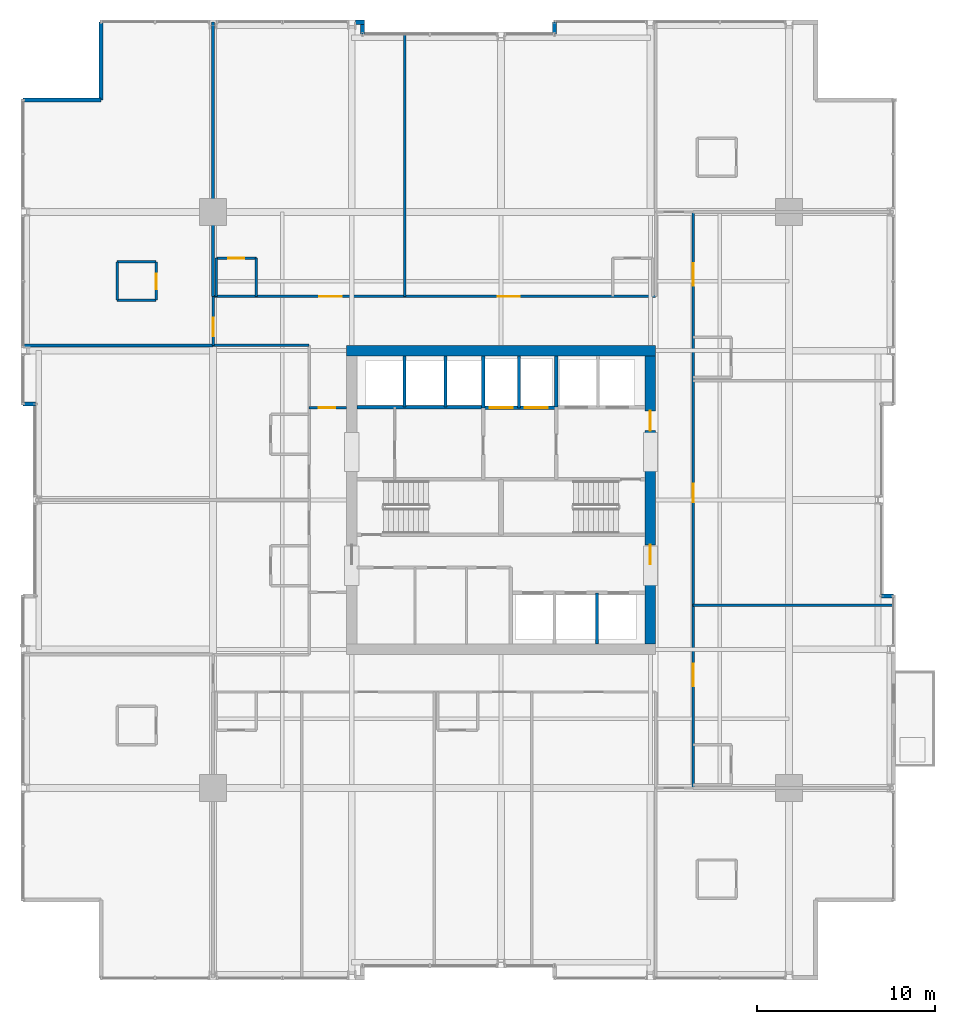
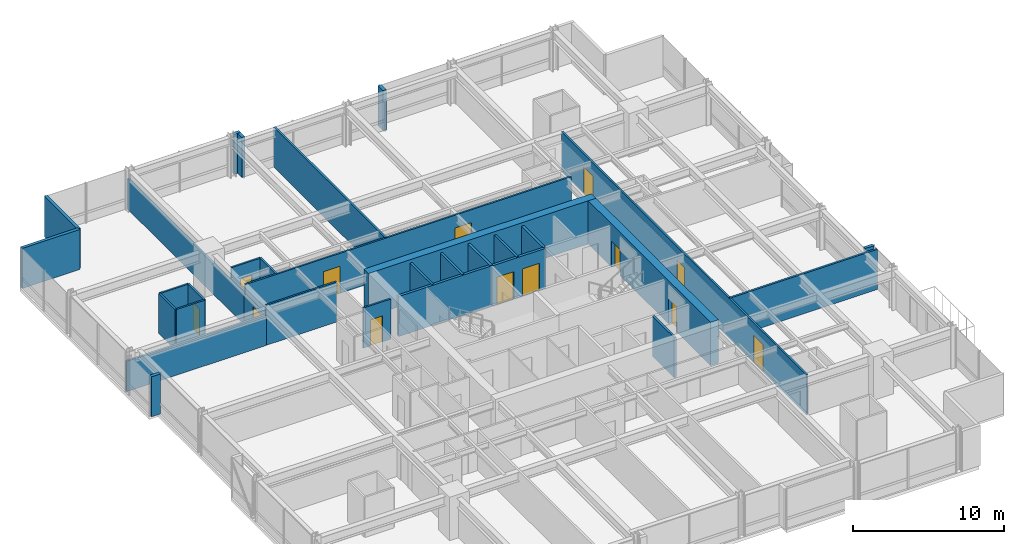
# One storey, part 30 of 34: 33 walls, 13 doors, 13 openings.
"""IFC4 building model written with IfcOpenShell, lengths in metres."""

from ifc_helpers import new_model, si_unit, direction, frame, frame_2d, origin, place, context, subcontext, project, spatial, rectangle, extrude, material, layer, layer_set, type_object, element, fill, save


model = new_model("IFC4")

# Units and contexts
model_context = context("Model", 3, precision=1e-05, world=origin(), true_north=direction((0.0, 1.0)))
body_context = subcontext(model_context, "Body", "Model", "MODEL_VIEW")
ifc_project = project(units=[si_unit("LENGTHUNIT", "METRE"), si_unit("AREAUNIT", "SQUARE_METRE"), si_unit("VOLUMEUNIT", "CUBIC_METRE"), si_unit("PLANEANGLEUNIT", "RADIAN"), si_unit("MASSUNIT", "GRAM", prefix="KILO")], contexts=[model_context])

# Site, building, storey
site_placement = place(None, origin())
site = spatial("IfcSite", under=ifc_project, at=site_placement, CompositionType="ELEMENT")
building_placement = place(site_placement, origin())
building = spatial("IfcBuilding", under=site, at=building_placement, Name="Drelvath Grand Hotel", CompositionType="ELEMENT")
storey_placement = place(building_placement, frame((0.0, 0.0, 112.800048828125)))
storey = spatial("IfcBuildingStorey", under=building, at=storey_placement, Name="L28", CompositionType="ELEMENT", Elevation=112.800048828125)

# Wall
ifc_material_1 = material(Name="Concrete C40/50", Category="concrete")
ifc_layer_1 = layer(ifc_material_1, 0.199951171875)
ifc_layer_set_1 = layer_set([ifc_layer_1], Name="Concrete C40/50")
wall_type_1 = type_object("IfcWallType", Name="Core Hoistway Fire Wall 200", PredefinedType="SOLIDWALL", material=ifc_layer_set_1)
wall_1_placement = place(storey_placement, frame((3.10009765625, 32.219970703125, 0.0), z_axis=(0.0, 0.0, 1.0), x_axis=(0.0, 1.0, 0.0)))
element("IfcWall", 1, at=wall_1_placement, inside=storey, type_object=wall_type_1, Name="L28 FSAE Hoistway West Wall", PredefinedType="SOLIDWALL", context=body_context, shape_type="SweptSolid", body=[
    extrude(rectangle(XDim=2.880126953125, YDim=0.199951171875, at=frame_2d((1.43994140625, 0.0))), origin(), (0.0, 0.0, 1.0), 3.239990234375),
])

# Wall, openings, doors
wall_2_placement = place(storey_placement, frame((-1.0, 32.179931640625, 0.0), z_axis=(0.0, 0.0, 1.0), x_axis=(1.0, 0.0, 0.0)))
wall_2 = element("IfcWall", 2, at=wall_2_placement, inside=storey, type_object=wall_type_1, Name="L28 Service Lift Hoistway Wall", PredefinedType="SOLIDWALL", context=body_context, shape_type="SweptSolid", body=[
    extrude(rectangle(XDim=4.10009765625, YDim=0.199951171875, at=frame_2d((2.050048828125, 0.0))), origin(), (0.0, 0.0, 1.0), 3.239990234375),
])
opening_1_placement = place(wall_2_placement, frame((0.3701171875, 0.0, 0.0)))
opening_1 = element("IfcOpeningElement", 3, at=opening_1_placement, cuts=wall_2, Name="Opening LD-SV-2", PredefinedType="OPENING", context=body_context, shape_type="SweptSolid", body=[
    extrude(rectangle(XDim=1.300048828125, YDim=2.199951171875, at=frame_2d((0.64990234375, 1.10009765625))), frame((0.0, 0.10986328125, 0.0), z_axis=(0.0, -1.0, 0.0), x_axis=(1.0, 0.0, 0.0)), (0.0, 0.0, 1.0), 0.219970703125),
])
opening_2_placement = place(wall_2_placement, frame((2.330078125, 0.0, 0.0)))
opening_2 = element("IfcOpeningElement", 4, at=opening_2_placement, cuts=wall_2, Name="Opening LD-SV-1", PredefinedType="OPENING", context=body_context, shape_type="SweptSolid", body=[
    extrude(rectangle(XDim=1.300048828125, YDim=2.199951171875, at=frame_2d((0.64990234375, 1.10009765625))), frame((0.0, 0.10986328125, 0.0), z_axis=(0.0, -1.0, 0.0), x_axis=(1.0, 0.0, 0.0)), (0.0, 0.0, 1.0), 0.219970703125),
])
ifc_material_2 = material(Name="Stainless Steel S355", Category="steel")
door_type_1 = type_object("IfcDoorType", Name="Service Lift Sliding Landing Door 1300x2200", OperationType="NOTDEFINED", PredefinedType="DOOR", material=ifc_material_2)
door_1_placement = place(opening_1_placement, origin())
door_1 = element("IfcDoor", 5, at=door_1_placement, inside=storey, type_object=door_type_1, Name="L28 Lift SV-2 Landing Door", OperationType="SLIDING_TO_LEFT", OverallHeight=2.199951171875, OverallWidth=1.300048828125, PredefinedType="DOOR", context=body_context, shape_type="SweptSolid", body=[
    extrude(rectangle(XDim=1.300048828125, YDim=2.199951171875, at=frame_2d((0.64990234375, 1.10009765625))), frame((0.0, 0.02490234375, 0.0), z_axis=(0.0, -1.0, 0.0), x_axis=(1.0, 0.0, 0.0)), (0.0, 0.0, 1.0), 0.050048828125),
])
fill(opening_1, door_1)
door_2_placement = place(opening_2_placement, origin())
door_2 = element("IfcDoor", 6, at=door_2_placement, inside=storey, type_object=door_type_1, Name="L28 Lift SV-1 Landing Door", OperationType="SLIDING_TO_LEFT", OverallHeight=2.199951171875, OverallWidth=1.300048828125, PredefinedType="DOOR", context=body_context, shape_type="SweptSolid", body=[
    extrude(rectangle(XDim=1.300048828125, YDim=2.199951171875, at=frame_2d((0.64990234375, 1.10009765625))), frame((0.0, 0.02490234375, 0.0), z_axis=(0.0, -1.0, 0.0), x_axis=(1.0, 0.0, 0.0)), (0.0, 0.0, 1.0), 0.050048828125),
])
fill(opening_2, door_2)

# Walls
wall_3_placement = place(storey_placement, frame((-1.0, 32.179931640625, 0.0), z_axis=(0.0, 0.0, 1.0), x_axis=(0.0, 1.0, 0.0)))
element("IfcWall", 7, at=wall_3_placement, inside=storey, type_object=wall_type_1, Name="L28 Service Lift West Wall", PredefinedType="SOLIDWALL", context=body_context, shape_type="SweptSolid", body=[
    extrude(rectangle(XDim=2.920166015625, YDim=0.199951171875, at=frame_2d((1.4599609375, 0.0))), origin(), (0.0, 0.0, 1.0), 3.239990234375),
])
wall_4_placement = place(storey_placement, frame((-8.10009765625, 32.219970703125, 0.0), z_axis=(0.0, 0.0, 1.0), x_axis=(1.0, 0.0, 0.0)))
element("IfcWall", 8, at=wall_4_placement, inside=storey, type_object=wall_type_1, Name="L28 Bank 3 Hoistway Wall", PredefinedType="SOLIDWALL", context=body_context, shape_type="SweptSolid", body=[
    extrude(rectangle(XDim=7.10009765625, YDim=0.199951171875, at=frame_2d((3.550048828125, 0.0))), origin(), (0.0, 0.0, 1.0), 3.239990234375),
])
ifc_material_3 = material(Name="Gypsum Fireboard Partition")
ifc_layer_2 = layer(ifc_material_3, 0.1650390625)
ifc_layer_set_2 = layer_set([ifc_layer_2], Name="Gypsum Fireboard Partition")
wall_type_2 = type_object("IfcWallType", Name="Core Shaft Partition 165", PredefinedType="PARTITIONING", material=ifc_layer_set_2)
wall_5_placement = place(storey_placement, frame((1.0, 32.179931640625, 0.0), z_axis=(0.0, 0.0, 1.0), x_axis=(0.0, 1.0, 0.0)))
element("IfcWall", 9, at=wall_5_placement, inside=storey, type_object=wall_type_2, Name="L28 Service Lift Divider", PredefinedType="PARTITIONING", context=body_context, shape_type="SweptSolid", body=[
    extrude(rectangle(XDim=2.920166015625, YDim=0.1650390625, at=frame_2d((1.4599609375, 0.0))), origin(), (0.0, 0.0, 1.0), 3.239990234375),
])
for number, where, z_axis, x_axis, name in (
    (10, (-5.43994140625, 32.219970703125, 0.0), (0.0, 0.0, 1.0), (0.0, 1.0, 0.0), "L28 Lift PE-7/8 Divider"),
    (11, (-3.1201171875, 32.219970703125, 0.0), (0.0, 0.0, 1.0), (0.0, 1.0, 0.0), "L28 Lift PE-8/9 Divider"),
    (12, (5.39990234375, 18.89990234375, 0.0), (0.0, 0.0, 1.0), (0.0, 1.0, 0.0), "L28 Lift PE-5/6 Divider"),
):
    element("IfcWall", number, at=place(storey_placement, frame(where, z_axis=z_axis, x_axis=x_axis)), inside=storey, type_object=wall_type_2, Name=name, PredefinedType="PARTITIONING", context=body_context, shape_type="SweptSolid", body=[
        extrude(rectangle(XDim=2.880126953125, YDim=0.1650390625, at=frame_2d((1.43994140625, 0.0))), origin(), (0.0, 0.0, 1.0), 3.239990234375),
    ])

# Wall, opening, door
ifc_layer_3 = layer(ifc_material_3, 0.135009765625)
ifc_layer_set_3 = layer_set([ifc_layer_3], Name="Gypsum Fireboard Partition")
wall_type_3 = type_object("IfcWallType", Name="Corridor Fire Barrier Wall 135", PredefinedType="PARTITIONING", material=ifc_layer_set_3)
wall_6_placement = place(storey_placement, frame((-10.800048828125, 32.199951171875, 0.0), z_axis=(0.0, 0.0, 1.0), x_axis=(1.0, 0.0, 0.0)))
wall_6 = element("IfcWall", 13, at=wall_6_placement, inside=storey, type_object=wall_type_3, Name="L28 West Foyer North Wall", PredefinedType="PARTITIONING", context=body_context, shape_type="SweptSolid", body=[
    extrude(rectangle(XDim=2.10009765625, YDim=0.135009765625, at=frame_2d((1.050048828125, 0.0))), origin(), (0.0, 0.0, 1.0), 3.239990234375),
])
opening_3_placement = place(wall_6_placement, frame((0.550048828125, 0.0, 0.0)))
opening_3 = element("IfcOpeningElement", 14, at=opening_3_placement, cuts=wall_6, Name="Opening D-T2G3-020", PredefinedType="OPENING", context=body_context, shape_type="SweptSolid", body=[
    extrude(rectangle(XDim=0.919921875, YDim=2.10009765625, at=frame_2d((0.4599609375, 1.050048828125))), frame((0.0, 0.077392578125, 0.0), z_axis=(0.0, -1.0, 0.0), x_axis=(1.0, 0.0, 0.0)), (0.0, 0.0, 1.0), 0.155029296875),
])
ifc_material_4 = material(Name="Painted Steel S275", Category="steel")
door_type_2 = type_object("IfcDoorType", Name="Staff Utility Door 920x2100", OperationType="NOTDEFINED", PredefinedType="DOOR", material=ifc_material_4)
door_3_placement = place(opening_3_placement, origin())
door_3 = element("IfcDoor", 15, at=door_3_placement, inside=storey, type_object=door_type_2, Name="L28 West Pantry Door", OperationType="SINGLE_SWING_LEFT", OverallHeight=2.10009765625, OverallWidth=0.919921875, PredefinedType="DOOR", context=body_context, shape_type="SweptSolid", body=[
    extrude(rectangle(XDim=0.919921875, YDim=2.10009765625, at=frame_2d((0.4599609375, 1.050048828125))), frame((0.0, 0.02490234375, 0.0), z_axis=(0.0, -1.0, 0.0), x_axis=(1.0, 0.0, 0.0)), (0.0, 0.0, 1.0), 0.050048828125),
])
fill(opening_3, door_3)

# Wall
wall_7_placement = place(storey_placement, frame((-16.199951171875, 35.699951171875, 0.0), z_axis=(0.0, 0.0, 1.0), x_axis=(1.0, 0.0, 0.0)))
element("IfcWall", 16, at=wall_7_placement, inside=storey, type_object=wall_type_3, Name="L28 NW Stub South Wall", PredefinedType="PARTITIONING", context=body_context, shape_type="SweptSolid", body=[
    extrude(rectangle(XDim=5.39990234375, YDim=0.135009765625, at=frame_2d((2.699951171875, 0.0))), origin(), (0.0, 0.0, 1.0), 3.239990234375),
])

# Wall, openings, doors
wall_8_placement = place(storey_placement, frame((-16.199951171875, 38.449951171875, 0.0), z_axis=(0.0, 0.0, 1.0), x_axis=(1.0, 0.0, 0.0)))
wall_8 = element("IfcWall", 17, at=wall_8_placement, inside=storey, type_object=wall_type_3, Name="L28 North Stub Corridor Wall", PredefinedType="PARTITIONING", context=body_context, shape_type="SweptSolid", body=[
    extrude(rectangle(XDim=24.89990234375, YDim=0.135009765625, at=frame_2d((12.449951171875, 0.0))), origin(), (0.0, 0.0, 1.0), 3.239990234375),
])
opening_4_placement = place(wall_8_placement, frame((5.97998046875, 0.0, 0.0)))
opening_4 = element("IfcOpeningElement", 18, at=opening_4_placement, cuts=wall_8, Name="Opening D-T2G3-036", PredefinedType="OPENING", context=body_context, shape_type="SweptSolid", body=[
    extrude(rectangle(XDim=1.260009765625, YDim=2.199951171875, at=frame_2d((0.6298828125, 1.10009765625))), frame((0.0, 0.077392578125, 0.0), z_axis=(0.0, -1.0, 0.0), x_axis=(1.0, 0.0, 0.0)), (0.0, 0.0, 1.0), 0.155029296875),
])
opening_5_placement = place(wall_8_placement, frame((16.0, 0.0, 0.0)))
opening_5 = element("IfcOpeningElement", 19, at=opening_5_placement, cuts=wall_8, Name="Opening D-T2G3-038", PredefinedType="OPENING", context=body_context, shape_type="SweptSolid", body=[
    extrude(rectangle(XDim=1.260009765625, YDim=2.199951171875, at=frame_2d((0.6298828125, 1.10009765625))), frame((0.0, 0.077392578125, 0.0), z_axis=(0.0, -1.0, 0.0), x_axis=(1.0, 0.0, 0.0)), (0.0, 0.0, 1.0), 0.155029296875),
])
ifc_material_5 = material(Name="Hardwood Walnut Timber", Category="wood")
door_type_3 = type_object("IfcDoorType", Name="Suite Entrance Fire Door 1260x2200", OperationType="NOTDEFINED", PredefinedType="DOOR", material=ifc_material_5)
door_4_placement = place(opening_4_placement, origin())
door_4 = element("IfcDoor", 20, at=door_4_placement, inside=storey, type_object=door_type_3, Name="L28 Corner Suite Entry Door", OperationType="SINGLE_SWING_LEFT", OverallHeight=2.199951171875, OverallWidth=1.260009765625, PredefinedType="DOOR", context=body_context, shape_type="SweptSolid", body=[
    extrude(rectangle(XDim=1.260009765625, YDim=2.199951171875, at=frame_2d((0.6298828125, 1.10009765625))), frame((0.0, 0.02490234375, 0.0), z_axis=(0.0, -1.0, 0.0), x_axis=(1.0, 0.0, 0.0)), (0.0, 0.0, 1.0), 0.050048828125),
])
fill(opening_4, door_4)
door_5_placement = place(opening_5_placement, origin())
door_5 = element("IfcDoor", 21, at=door_5_placement, inside=storey, type_object=door_type_3, Name="L28 Corner Suite Entry Door", OperationType="SINGLE_SWING_LEFT", OverallHeight=2.199951171875, OverallWidth=1.260009765625, PredefinedType="DOOR", context=body_context, shape_type="SweptSolid", body=[
    extrude(rectangle(XDim=1.260009765625, YDim=2.199951171875, at=frame_2d((0.6298828125, 1.10009765625))), frame((0.0, 0.02490234375, 0.0), z_axis=(0.0, -1.0, 0.0), x_axis=(1.0, 0.0, 0.0)), (0.0, 0.0, 1.0), 0.050048828125),
])
fill(opening_5, door_5)

wall_9_placement = place(storey_placement, frame((10.800048828125, 10.800048828125, 0.0), z_axis=(0.0, 0.0, 1.0), x_axis=(0.0, 1.0, 0.0)))
wall_9 = element("IfcWall", 22, at=wall_9_placement, inside=storey, type_object=wall_type_3, Name="L28 East Spine Corridor Wall", PredefinedType="PARTITIONING", context=body_context, shape_type="SweptSolid", body=[
    extrude(rectangle(XDim=32.39990234375, YDim=0.135009765625, at=frame_2d((16.199951171875, 0.0))), origin(), (0.0, 0.0, 1.0), 3.239990234375),
])
opening_6_placement = place(wall_9_placement, frame((5.7216796875, 0.0, 0.0)))
opening_6 = element("IfcOpeningElement", 23, at=opening_6_placement, cuts=wall_9, Name="Opening D-T2G3-040", PredefinedType="OPENING", context=body_context, shape_type="SweptSolid", body=[
    extrude(rectangle(XDim=1.260009765625, YDim=2.199951171875, at=frame_2d((0.6298828125, 1.10009765625))), frame((0.0, 0.077392578125, 0.0), z_axis=(0.0, -1.0, 0.0), x_axis=(1.0, 0.0, 0.0)), (0.0, 0.0, 1.0), 0.155029296875),
])
opening_7_placement = place(wall_9_placement, frame((16.085205078125, 0.0, 0.0)))
opening_7 = element("IfcOpeningElement", 24, at=opening_7_placement, cuts=wall_9, Name="Opening D-T2G3-041", PredefinedType="OPENING", context=body_context, shape_type="SweptSolid", body=[
    extrude(rectangle(XDim=1.02001953125, YDim=2.14990234375, at=frame_2d((0.510009765625, 1.074951171875))), frame((0.0, 0.077392578125, 0.0), z_axis=(0.0, -1.0, 0.0), x_axis=(1.0, 0.0, 0.0)), (0.0, 0.0, 1.0), 0.155029296875),
])
opening_8_placement = place(wall_9_placement, frame((28.24365234375, 0.0, 0.0)))
opening_8 = element("IfcOpeningElement", 25, at=opening_8_placement, cuts=wall_9, Name="Opening D-T2G3-043", PredefinedType="OPENING", context=body_context, shape_type="SweptSolid", body=[
    extrude(rectangle(XDim=1.260009765625, YDim=2.199951171875, at=frame_2d((0.6298828125, 1.10009765625))), frame((0.0, 0.077392578125, 0.0), z_axis=(0.0, -1.0, 0.0), x_axis=(1.0, 0.0, 0.0)), (0.0, 0.0, 1.0), 0.155029296875),
])
door_type_4 = type_object("IfcDoorType", Name="Amenity Meeting Fire Door 1020x2150", OperationType="NOTDEFINED", PredefinedType="DOOR", material=ifc_material_5)
door_6_placement = place(opening_7_placement, origin())
door_6 = element("IfcDoor", 26, at=door_6_placement, inside=storey, type_object=door_type_4, Name="L28 Floor Concierge Office Entry Door", OperationType="SINGLE_SWING_RIGHT", OverallHeight=2.14990234375, OverallWidth=1.02001953125, PredefinedType="DOOR", context=body_context, shape_type="SweptSolid", body=[
    extrude(rectangle(XDim=1.02001953125, YDim=2.14990234375, at=frame_2d((0.510009765625, 1.074951171875))), frame((0.0, 0.02490234375, 0.0), z_axis=(0.0, -1.0, 0.0), x_axis=(1.0, 0.0, 0.0)), (0.0, 0.0, 1.0), 0.050048828125),
])
fill(opening_7, door_6)
door_7_placement = place(opening_6_placement, origin())
door_7 = element("IfcDoor", 27, at=door_7_placement, inside=storey, type_object=door_type_3, Name="L28 Corner Suite Entry Door", OperationType="SINGLE_SWING_LEFT", OverallHeight=2.199951171875, OverallWidth=1.260009765625, PredefinedType="DOOR", context=body_context, shape_type="SweptSolid", body=[
    extrude(rectangle(XDim=1.260009765625, YDim=2.199951171875, at=frame_2d((0.6298828125, 1.10009765625))), frame((0.0, 0.02490234375, 0.0), z_axis=(0.0, -1.0, 0.0), x_axis=(1.0, 0.0, 0.0)), (0.0, 0.0, 1.0), 0.050048828125),
])
fill(opening_6, door_7)
door_8_placement = place(opening_8_placement, origin())
door_8 = element("IfcDoor", 28, at=door_8_placement, inside=storey, type_object=door_type_3, Name="L28 Corner Suite Entry Door", OperationType="SINGLE_SWING_RIGHT", OverallHeight=2.199951171875, OverallWidth=1.260009765625, PredefinedType="DOOR", context=body_context, shape_type="SweptSolid", body=[
    extrude(rectangle(XDim=1.260009765625, YDim=2.199951171875, at=frame_2d((0.6298828125, 1.10009765625))), frame((0.0, 0.02490234375, 0.0), z_axis=(0.0, -1.0, 0.0), x_axis=(1.0, 0.0, 0.0)), (0.0, 0.0, 1.0), 0.050048828125),
])
fill(opening_8, door_8)

# Wall, opening, door
wall_10_placement = place(storey_placement, frame((-16.199951171875, 35.699951171875, 0.0), z_axis=(0.0, 0.0, 1.0), x_axis=(0.0, 1.0, 0.0)))
wall_10 = element("IfcWall", 29, at=wall_10_placement, inside=storey, type_object=wall_type_3, Name="L28 North Stub West End", PredefinedType="PARTITIONING", context=body_context, shape_type="SweptSolid", body=[
    extrude(rectangle(XDim=2.75, YDim=0.135009765625, at=frame_2d((1.375, 0.0))), origin(), (0.0, 0.0, 1.0), 2.45166015625),
])
opening_9_placement = place(wall_10_placement, frame((0.52001953125, 0.0, 0.0)))
opening_9 = element("IfcOpeningElement", 30, at=opening_9_placement, cuts=wall_10, Name="Opening D-T2G3-024", PredefinedType="OPENING", context=body_context, shape_type="SweptSolid", body=[
    extrude(rectangle(XDim=1.02001953125, YDim=2.14990234375, at=frame_2d((0.510009765625, 1.074951171875))), frame((0.0, 0.077392578125, 0.0), z_axis=(0.0, -1.0, 0.0), x_axis=(1.0, 0.0, 0.0)), (0.0, 0.0, 1.0), 0.155029296875),
])
door_9_placement = place(opening_9_placement, origin())
door_9 = element("IfcDoor", 31, at=door_9_placement, inside=storey, type_object=door_type_4, Name="L28 Corner Suite Entry Door", OperationType="SINGLE_SWING_LEFT", OverallHeight=2.14990234375, OverallWidth=1.02001953125, PredefinedType="DOOR", context=body_context, shape_type="SweptSolid", body=[
    extrude(rectangle(XDim=1.02001953125, YDim=2.14990234375, at=frame_2d((0.510009765625, 1.074951171875))), frame((0.0, 0.02490234375, 0.0), z_axis=(0.0, -1.0, 0.0), x_axis=(1.0, 0.0, 0.0)), (0.0, 0.0, 1.0), 0.050048828125),
])
fill(opening_9, door_9)

# Walls
ifc_material_6 = material(Name="Moisture-Resistant Gypsum Board")
ifc_layer_4 = layer(ifc_material_6, 0.139892578125)
ifc_layer_set_4 = layer_set([ifc_layer_4], Name="Moisture-Resistant Gypsum Board")
wall_type_4 = type_object("IfcWallType", Name="En-Suite Plumbing Wall 140", PredefinedType="PLUMBINGWALL", material=ifc_layer_set_4)
for number, where, z_axis, x_axis, name in (
    (32, (-21.60009765625, 38.239990234375, 0.0), (0.0, 0.0, 1.0), (1.0, 0.0, 0.0), "L28 Corner En-Suite South"),
    (33, (-21.60009765625, 40.389892578125, 0.0), (0.0, 0.0, 1.0), (1.0, 0.0, 0.0), "L28 Corner En-Suite North"),
):
    element("IfcWall", number, at=place(storey_placement, frame(where, z_axis=z_axis, x_axis=x_axis)), inside=storey, type_object=wall_type_4, Name=name, PredefinedType="PLUMBINGWALL", context=body_context, shape_type="SweptSolid", body=[
        extrude(rectangle(XDim=2.2001953125, YDim=0.139892578125, at=frame_2d((1.10009765625, 0.0))), origin(), (0.0, 0.0, 1.0), 3.239990234375),
    ])
wall_11_placement = place(storey_placement, frame((-21.60009765625, 38.239990234375, 0.0), z_axis=(0.0, 0.0, 1.0), x_axis=(0.0, 1.0, 0.0)))
element("IfcWall", 34, at=wall_11_placement, inside=storey, type_object=wall_type_4, Name="L28 Corner En-Suite West", PredefinedType="PLUMBINGWALL", context=body_context, shape_type="SweptSolid", body=[
    extrude(rectangle(XDim=2.14990234375, YDim=0.139892578125, at=frame_2d((1.074951171875, 0.0))), origin(), (0.0, 0.0, 1.0), 3.239990234375),
])

# Wall, opening, door
wall_12_placement = place(storey_placement, frame((-19.39990234375, 38.239990234375, 0.0), z_axis=(0.0, 0.0, 1.0), x_axis=(0.0, 1.0, 0.0)))
wall_12 = element("IfcWall", 35, at=wall_12_placement, inside=storey, type_object=wall_type_4, Name="L28 Corner En-Suite East", PredefinedType="PLUMBINGWALL", context=body_context, shape_type="SweptSolid", body=[
    extrude(rectangle(XDim=2.14990234375, YDim=0.139892578125, at=frame_2d((1.074951171875, 0.0))), origin(), (0.0, 0.0, 1.0), 3.239990234375),
])
opening_10_placement = place(wall_12_placement, frame((0.6201171875, 0.0, 0.0)))
opening_10 = element("IfcOpeningElement", 36, at=opening_10_placement, cuts=wall_12, Name="Opening D-T2G3-023", PredefinedType="OPENING", context=body_context, shape_type="SweptSolid", body=[
    extrude(rectangle(XDim=0.8798828125, YDim=2.10009765625, at=frame_2d((0.43994140625, 1.050048828125))), frame((0.0, 0.079833984375, 0.0), z_axis=(0.0, -1.0, 0.0), x_axis=(1.0, 0.0, 0.0)), (0.0, 0.0, 1.0), 0.159912109375),
])
door_type_5 = type_object("IfcDoorType", Name="En-Suite Bathroom Door 880x2100", OperationType="NOTDEFINED", PredefinedType="DOOR", material=ifc_material_5)
door_10_placement = place(opening_10_placement, origin())
door_10 = element("IfcDoor", 37, at=door_10_placement, inside=storey, type_object=door_type_5, Name="L28 Corner En-Suite Door", OperationType="SINGLE_SWING_RIGHT", OverallHeight=2.10009765625, OverallWidth=0.8798828125, PredefinedType="DOOR", context=body_context, shape_type="SweptSolid", body=[
    extrude(rectangle(XDim=0.8798828125, YDim=2.10009765625, at=frame_2d((0.43994140625, 1.050048828125))), frame((0.0, 0.02490234375, 0.0), z_axis=(0.0, -1.0, 0.0), x_axis=(1.0, 0.0, 0.0)), (0.0, 0.0, 1.0), 0.050048828125),
])
fill(opening_10, door_10)

# Walls
wall_13_placement = place(storey_placement, frame((-16.02001953125, 38.449951171875, 0.0), z_axis=(0.0, 0.0, 1.0), x_axis=(0.0, 1.0, 0.0)))
element("IfcWall", 38, at=wall_13_placement, inside=storey, type_object=wall_type_4, Name="L28 En-Suite Left Wall", PredefinedType="PLUMBINGWALL", context=body_context, shape_type="SweptSolid", body=[
    extrude(rectangle(XDim=2.150146484375, YDim=0.139892578125, at=frame_2d((1.0751953125, 0.0))), origin(), (0.0, 0.0, 1.0), 2.45166015625),
])
wall_14_placement = place(storey_placement, frame((-13.77001953125, 38.449951171875, 0.0), z_axis=(0.0, 0.0, 1.0), x_axis=(0.0, 1.0, 0.0)))
element("IfcWall", 39, at=wall_14_placement, inside=storey, type_object=wall_type_4, Name="L28 En-Suite Right Wall", PredefinedType="PLUMBINGWALL", context=body_context, shape_type="SweptSolid", body=[
    extrude(rectangle(XDim=2.150146484375, YDim=0.139892578125, at=frame_2d((1.0751953125, 0.0))), origin(), (0.0, 0.0, 1.0), 3.239990234375),
])

# Wall, opening, door
wall_15_placement = place(storey_placement, frame((-16.02001953125, 40.60009765625, 0.0), z_axis=(0.0, 0.0, 1.0), x_axis=(1.0, 0.0, 0.0)))
wall_15 = element("IfcWall", 40, at=wall_15_placement, inside=storey, type_object=wall_type_4, Name="L28 En-Suite Front Wall", PredefinedType="PLUMBINGWALL", context=body_context, shape_type="SweptSolid", body=[
    extrude(rectangle(XDim=2.25, YDim=0.139892578125, at=frame_2d((1.125, 0.0))), origin(), (0.0, 0.0, 1.0), 3.239990234375),
])
opening_11_placement = place(wall_15_placement, frame((0.68505859375, 0.0, 0.0)))
opening_11 = element("IfcOpeningElement", 41, at=opening_11_placement, cuts=wall_15, Name="Opening D-T2G3-035", PredefinedType="OPENING", context=body_context, shape_type="SweptSolid", body=[
    extrude(rectangle(XDim=0.8798828125, YDim=2.10009765625, at=frame_2d((0.43994140625, 1.050048828125))), frame((0.0, 0.079833984375, 0.0), z_axis=(0.0, -1.0, 0.0), x_axis=(1.0, 0.0, 0.0)), (0.0, 0.0, 1.0), 0.159912109375),
])
door_11_placement = place(opening_11_placement, origin())
door_11 = element("IfcDoor", 42, at=door_11_placement, inside=storey, type_object=door_type_5, Name="L28 En-Suite Bathroom Door", OperationType="SINGLE_SWING_RIGHT", OverallHeight=2.10009765625, OverallWidth=0.8798828125, PredefinedType="DOOR", context=body_context, shape_type="SweptSolid", body=[
    extrude(rectangle(XDim=0.8798828125, YDim=2.10009765625, at=frame_2d((0.43994140625, 1.050048828125))), frame((0.0, 0.02490234375, 0.0), z_axis=(0.0, -1.0, 0.0), x_axis=(1.0, 0.0, 0.0)), (0.0, 0.0, 1.0), 0.050048828125),
])
fill(opening_11, door_11)

# Walls
ifc_material_7 = material(Name="Gypsum Acoustic Partition")
ifc_layer_5 = layer(ifc_material_7, 0.14990234375)
ifc_layer_set_5 = layer_set([ifc_layer_5], Name="Gypsum Acoustic Partition")
wall_type_5 = type_object("IfcWallType", Name="Guestroom Demising Wall 150", PredefinedType="PARTITIONING", material=ifc_layer_set_5)
wall_16_placement = place(storey_placement, frame((-5.409912109375, 38.449951171875, 0.0), z_axis=(0.0, 0.0, 1.0), x_axis=(0.0, 1.0, 0.0)))
element("IfcWall", 43, at=wall_16_placement, inside=storey, type_object=wall_type_5, Name="L28 North Demising 1", PredefinedType="PARTITIONING", context=body_context, shape_type="SweptSolid", body=[
    extrude(rectangle(XDim=14.75, YDim=0.14990234375, at=frame_2d((7.375, 0.0))), origin(), (0.0, 0.0, 1.0), 3.239990234375),
])
wall_17_placement = place(storey_placement, frame((10.800048828125, 21.0732421875, 0.0), z_axis=(0.0, 0.0, 1.0), x_axis=(1.0, 0.0, 0.0)))
element("IfcWall", 44, at=wall_17_placement, inside=storey, type_object=wall_type_5, Name="L28 East Demising 1", PredefinedType="PARTITIONING", context=body_context, shape_type="SweptSolid", body=[
    extrude(rectangle(XDim=11.280029296875, YDim=0.14990234375, at=frame_2d((5.64013671875, 0.0))), origin(), (0.0, 0.0, 1.0), 3.239990234375),
])
ifc_material_8 = material(Name="Concrete f'c 70 MPa", Category="concrete")
ifc_layer_6 = layer(ifc_material_8, 0.60009765625)
ifc_layer_set_6 = layer_set([ifc_layer_6], Name="Concrete f'c 70 MPa")
wall_type_6 = type_object("IfcWallType", Name="Lower Core RC Shear Wall 600", PredefinedType="SHEAR", material=ifc_layer_set_6)
wall_18_placement = place(storey_placement, frame((-8.699951171875, 35.39990234375, 0.0), z_axis=(0.0, 0.0, 1.0), x_axis=(1.0, 0.0, 0.0)))
element("IfcWall", 45, at=wall_18_placement, inside=storey, type_object=wall_type_6, Name="L28 Central Core Shear Wall N", PredefinedType="SHEAR", context=body_context, shape_type="SweptSolid", body=[
    extrude(rectangle(XDim=17.39990234375, YDim=0.60009765625, at=frame_2d((8.699951171875, 0.0))), origin(), (0.0, 0.0, 1.0), 3.5),
])

# Wall, openings, doors
wall_19_placement = place(storey_placement, frame((8.39990234375, 35.10009765625, 0.0), z_axis=(0.0, 0.0, 1.0), x_axis=(0.0, -1.0, 0.0)))
wall_19 = element("IfcWall", 46, at=wall_19_placement, inside=storey, type_object=wall_type_6, Name="L28 Central Core Shear Wall E", PredefinedType="SHEAR", context=body_context, shape_type="SweptSolid", body=[
    extrude(rectangle(XDim=16.2001953125, YDim=0.60009765625, at=frame_2d((8.10009765625, 0.0))), origin(), (0.0, 0.0, 1.0), 3.5),
])
opening_12_placement = place(wall_19_placement, frame((3.080078125, 0.0, 0.0)))
opening_12 = element("IfcOpeningElement", 47, at=opening_12_placement, cuts=wall_19, Name="Opening D-T2G3-006", PredefinedType="OPENING", context=body_context, shape_type="SweptSolid", body=[
    extrude(rectangle(XDim=1.1201171875, YDim=2.10009765625, at=frame_2d((0.56005859375, 1.050048828125))), frame((0.0, 0.31005859375, 0.0), z_axis=(0.0, -1.0, 0.0), x_axis=(1.0, 0.0, 0.0)), (0.0, 0.0, 1.0), 0.6201171875),
])
opening_13_placement = place(wall_19_placement, frame((10.6201171875, 0.0, 0.0)))
opening_13 = element("IfcOpeningElement", 48, at=opening_13_placement, cuts=wall_19, Name="Opening D-T2G3-015", PredefinedType="OPENING", context=body_context, shape_type="SweptSolid", body=[
    extrude(rectangle(XDim=1.080078125, YDim=2.0400390625, at=frame_2d((0.5400390625, 1.02001953125))), frame((0.0, 0.31005859375, 0.0), z_axis=(0.0, -1.0, 0.0), x_axis=(1.0, 0.0, 0.0)), (0.0, 0.0, 1.0), 0.6201171875),
])
door_type_6 = type_object("IfcDoorType", Name="Core Corridor Fire Door 1080x2100", OperationType="NOTDEFINED", PredefinedType="DOOR", material=ifc_material_4)
door_12_placement = place(opening_13_placement, origin())
door_12 = element("IfcDoor", 49, at=door_12_placement, inside=storey, type_object=door_type_6, Name="L28 Mid-Rise Lobby East Door", OperationType="SINGLE_SWING_RIGHT", OverallHeight=2.0400390625, OverallWidth=1.080078125, PredefinedType="DOOR", context=body_context, shape_type="SweptSolid", body=[
    extrude(rectangle(XDim=1.080078125, YDim=2.0400390625, at=frame_2d((0.5400390625, 1.02001953125))), frame((0.0, 0.02490234375, 0.0), z_axis=(0.0, -1.0, 0.0), x_axis=(1.0, 0.0, 0.0)), (0.0, 0.0, 1.0), 0.050048828125),
])
fill(opening_13, door_12)
door_type_7 = type_object("IfcDoorType", Name="FSAE Smoke Lobby Fire Door 1120x2100", OperationType="NOTDEFINED", PredefinedType="DOOR", material=ifc_material_4)
door_13_placement = place(opening_12_placement, origin())
door_13 = element("IfcDoor", 50, at=door_13_placement, inside=storey, type_object=door_type_7, Name="L28 FSAE Lobby East Corridor Door", OperationType="SINGLE_SWING_LEFT", OverallHeight=2.10009765625, OverallWidth=1.1201171875, PredefinedType="DOOR", context=body_context, shape_type="SweptSolid", body=[
    extrude(rectangle(XDim=1.1201171875, YDim=2.10009765625, at=frame_2d((0.56005859375, 1.050048828125))), frame((0.0, 0.02490234375, 0.0), z_axis=(0.0, -1.0, 0.0), x_axis=(1.0, 0.0, 0.0)), (0.0, 0.0, 1.0), 0.050048828125),
])
fill(opening_12, door_13)

# Walls
ifc_layer_7 = layer(ifc_material_7, 0.1650390625)
ifc_layer_set_7 = layer_set([ifc_layer_7], Name="Gypsum Acoustic Partition")
wall_type_7 = type_object("IfcWallType", Name="Suite Demising Wall 165", PredefinedType="PARTITIONING", material=ifc_layer_set_7)
wall_20_placement = place(storey_placement, frame((-16.199951171875, 38.449951171875, 0.0), z_axis=(0.0, 0.0, 1.0), x_axis=(0.0, 1.0, 0.0)))
element("IfcWall", 51, at=wall_20_placement, inside=storey, type_object=wall_type_7, Name="L28 NW Suite East Wall", PredefinedType="PARTITIONING", context=body_context, shape_type="SweptSolid", body=[
    extrude(rectangle(XDim=15.429931640625, YDim=0.1650390625, at=frame_2d((7.71484375, 0.0))), origin(), (0.0, 0.0, 1.0), 2.45166015625),
])
wall_21_placement = place(storey_placement, frame((-26.8798828125, 35.699951171875, 0.0), z_axis=(0.0, 0.0, 1.0), x_axis=(1.0, 0.0, 0.0)))
element("IfcWall", 52, at=wall_21_placement, inside=storey, type_object=wall_type_7, Name="L28 NW Suite South Wall", PredefinedType="PARTITIONING", context=body_context, shape_type="SweptSolid", body=[
    extrude(rectangle(XDim=10.679931640625, YDim=0.1650390625, at=frame_2d((5.33984375, 0.0))), origin(), (0.0, 0.0, 1.0), 2.45166015625),
])
ifc_material_9 = material(Name="Pale-Metal Insulated Aluminium Spandrel Assembly", Category="aluminium")
ifc_layer_8 = layer(ifc_material_9, 0.239990234375)
ifc_layer_set_8 = layer_set([ifc_layer_8], Name="Pale-Metal Insulated Aluminium Spandrel Assembly")
wall_type_8 = type_object("IfcWallType", Name="Tower Insulated Metal Spandrel Closure Wall 240", PredefinedType="STANDARD", material=ifc_layer_set_8)
wall_22_placement = place(storey_placement, frame((-8.180419921875, 53.8798828125, 0.0), z_axis=(0.0, 0.0, 1.0), x_axis=(1.0, 0.0, 0.0)))
element("IfcWall", 53, at=wall_22_placement, inside=storey, type_object=wall_type_8, Name="L28 Corner Pier Spandrel Wall NW3", PredefinedType="STANDARD", context=body_context, shape_type="SweptSolid", body=[
    extrude(rectangle(XDim=0.50048828125, YDim=0.239990234375, at=frame_2d((0.250244140625, 0.0))), origin(), (0.0, 0.0, 1.0), 3.239990234375),
])
for number, where, z_axis, x_axis, name in (
    (54, (-26.8798828125, 49.5, 0.0), (0.0, 0.0, 1.0), (1.0, 0.0, 0.0), "L28 Notched Corner Return Spandrel Wall CNW1"),
    (55, (-22.5, 49.5, 0.0), (0.0, 0.0, 1.0), (0.0, 1.0, 0.0), "L28 Notched Corner Return Spandrel Wall CNW2"),
):
    element("IfcWall", number, at=place(storey_placement, frame(where, z_axis=z_axis, x_axis=x_axis)), inside=storey, type_object=wall_type_8, Name=name, PredefinedType="STANDARD", context=body_context, shape_type="SweptSolid", body=[
        extrude(rectangle(XDim=4.3798828125, YDim=0.239990234375, at=frame_2d((2.18994140625, 0.0))), origin(), (0.0, 0.0, 1.0), 3.239990234375),
    ])
wall_23_placement = place(storey_placement, frame((-26.199951171875, 32.39990234375, 0.0), z_axis=(0.0, 0.0, 1.0), x_axis=(-1.0, 0.0, 0.0)))
element("IfcWall", 56, at=wall_23_placement, inside=storey, type_object=wall_type_8, Name="L28 Notched Corner Return Spandrel Wall RW2", PredefinedType="STANDARD", context=body_context, shape_type="SweptSolid", body=[
    extrude(rectangle(XDim=0.679931640625, YDim=0.239990234375, at=frame_2d((0.33984375, 0.0))), origin(), (0.0, 0.0, 1.0), 3.239990234375),
])
wall_24_placement = place(storey_placement, frame((21.39990234375, 21.60009765625, 0.0), z_axis=(0.0, 0.0, 1.0), x_axis=(1.0, 0.0, 0.0)))
element("IfcWall", 57, at=wall_24_placement, inside=storey, type_object=wall_type_8, Name="L28 Notched Corner Return Spandrel Wall RE2", PredefinedType="STANDARD", context=body_context, shape_type="SweptSolid", body=[
    extrude(rectangle(XDim=0.68017578125, YDim=0.239990234375, at=frame_2d((0.340087890625, 0.0))), origin(), (0.0, 0.0, 1.0), 3.239990234375),
])
wall_25_placement = place(storey_placement, frame((-7.800048828125, 53.760009765625, 0.0), z_axis=(0.0, 0.0, 1.0), x_axis=(0.0, -1.0, 0.0)))
element("IfcWall", 58, at=wall_25_placement, inside=storey, type_object=wall_type_8, Name="L28 Notched Corner Return Spandrel Wall RN1", PredefinedType="STANDARD", context=body_context, shape_type="SweptSolid", body=[
    extrude(rectangle(XDim=0.56005859375, YDim=0.239990234375, at=frame_2d((0.280029296875, 0.0))), origin(), (0.0, 0.0, 1.0), 3.239990234375),
])
wall_26_placement = place(storey_placement, frame((3.0, 53.199951171875, 0.0), z_axis=(0.0, 0.0, 1.0), x_axis=(0.0, 1.0, 0.0)))
element("IfcWall", 59, at=wall_26_placement, inside=storey, type_object=wall_type_8, Name="L28 Notched Corner Return Spandrel Wall RN2", PredefinedType="STANDARD", context=body_context, shape_type="SweptSolid", body=[
    extrude(rectangle(XDim=0.679931640625, YDim=0.239990234375, at=frame_2d((0.33984375, 0.0))), origin(), (0.0, 0.0, 1.0), 3.239990234375),
])

save(model, "model.ifc")
